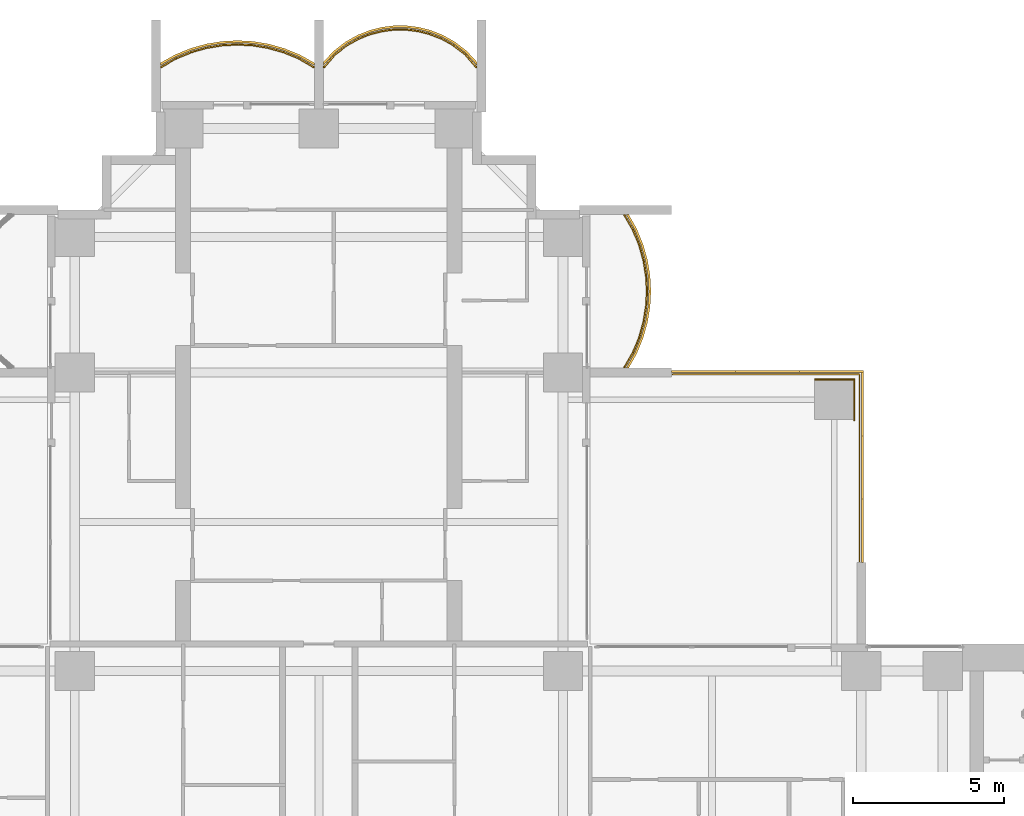
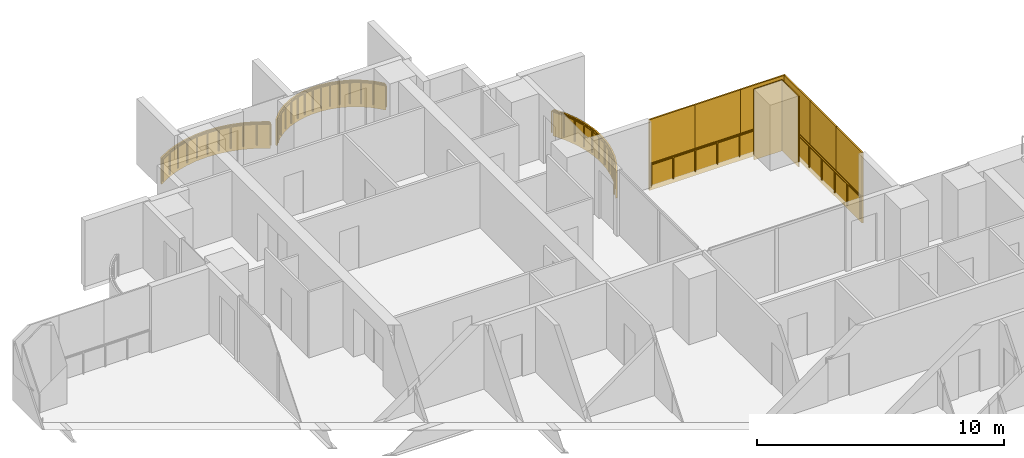
# One storey, part 21 of 21: 12 coverings, 4 railings.
"""IFC4 building model written with IfcOpenShell, lengths in metres."""

from ifc_helpers import new_model, si_unit, direction, frame, origin, origin_2d, place, context, subcontext, project, spatial, polyline, rectangle, outline, extrude, material, layer, layer_set, type_object, element, save


model = new_model("IFC4")

# Units and contexts
model_context = context("Model", 3, precision=1e-05, world=origin(), true_north=direction((0.0, 1.0)))
body_context = subcontext(model_context, "Body", "Model", "MODEL_VIEW")
ifc_project = project(units=[si_unit("LENGTHUNIT", "METRE"), si_unit("AREAUNIT", "SQUARE_METRE"), si_unit("VOLUMEUNIT", "CUBIC_METRE"), si_unit("PLANEANGLEUNIT", "RADIAN"), si_unit("MASSUNIT", "GRAM", prefix="KILO")], contexts=[model_context])

# Site, building, storey
site_placement = place(None, origin())
site = spatial("IfcSite", under=ifc_project, at=site_placement, CompositionType="ELEMENT")
building_placement = place(site_placement, origin())
building = spatial("IfcBuilding", under=site, at=building_placement, Name="Perihelion Cross Residences", CompositionType="ELEMENT")
storey_placement = place(building_placement, frame((0.0, 0.0, 64.5)))
storey = spatial("IfcBuildingStorey", under=building, at=storey_placement, Name="L13", CompositionType="ELEMENT", Elevation=64.5)

# Coverings
ifc_material_1 = material(Name="Bronze anodised aluminium", Category="aluminium")
ifc_layer_1 = layer(ifc_material_1, 0.070068359375)
ifc_layer_set_1 = layer_set([ifc_layer_1], Name="Balcony fascia 1300")
covering_type_1 = type_object("IfcCoveringType", Name="Balcony fascia 1300", PredefinedType="CLADDING", material=ifc_layer_set_1)
covering_1_placement = place(storey_placement, frame((0.0, 0.0, -0.199951171875)))
element("IfcCovering", 1, at=covering_1_placement, inside=storey, type_object=covering_type_1, Name="Fascia BF1 L13 north side east bay 2", PredefinedType="CLADDING", context=body_context, shape_type="SweptSolid", body=[
    extrude(outline(polyline([(10.54833984375, 18.629638671875), (10.7607421875, 19.147216796875), (10.906494140625, 19.664794921875), (10.991943359375, 20.182373046875), (11.02001953125, 20.699951171875), (10.991943359375, 21.217529296875), (10.906494140625, 21.735107421875), (10.7607421875, 22.2529296875), (10.54833984375, 22.7705078125), (10.2802734375, 23.25), (10.199951171875, 23.25), (10.4853515625, 22.739990234375), (10.694580078125, 22.22998046875), (10.838134765625, 21.719970703125), (10.92236328125, 21.2099609375), (10.949951171875, 20.699951171875), (10.92236328125, 20.18994140625), (10.838134765625, 19.679931640625), (10.694580078125, 19.169921875), (10.4853515625, 18.659912109375), (10.199951171875, 18.14990234375), (10.2802734375, 18.14990234375), (10.54833984375, 18.629638671875)])), origin(), (0.0, 0.0, 1.0), 1.300048828125),
])
covering_2_placement = place(storey_placement, frame((0.0, 0.0, -0.199951171875)))
element("IfcCovering", 2, at=covering_2_placement, inside=storey, type_object=covering_type_1, Name="Fascia BF1 L13 north tip north bay 1", PredefinedType="CLADDING", context=body_context, shape_type="SweptSolid", body=[
    extrude(outline(polyline([(4.90478515625, 28.674072265625), (4.50390625, 28.982666015625), (4.10302734375, 29.20654296875), (3.7021484375, 29.364013671875), (3.30126953125, 29.464599609375), (2.900390625, 29.513916015625), (2.49951171875, 29.513916015625), (2.0986328125, 29.464599609375), (1.69775390625, 29.364013671875), (1.296875, 29.20654296875), (0.89599609375, 28.982666015625), (0.4951171875, 28.674072265625), (0.14990234375, 28.302734375), (0.14990234375, 28.199951171875), (0.542236328125, 28.622314453125), (0.9345703125, 28.924072265625), (1.326904296875, 29.143310546875), (1.71923828125, 29.29736328125), (2.111572265625, 29.39599609375), (2.50390625, 29.444091796875), (2.896240234375, 29.444091796875), (3.28857421875, 29.39599609375), (3.6806640625, 29.29736328125), (4.072998046875, 29.143310546875), (4.46533203125, 28.924072265625), (4.857666015625, 28.622314453125), (5.25, 28.199951171875), (5.25, 28.302734375), (4.90478515625, 28.674072265625)])), origin(), (0.0, 0.0, 1.0), 1.300048828125),
])
covering_3_placement = place(storey_placement, frame((0.0, 0.0, -0.199951171875)))
element("IfcCovering", 3, at=covering_3_placement, inside=storey, type_object=covering_type_1, Name="Fascia BF1 L13 north tip north bay 2", PredefinedType="CLADDING", context=body_context, shape_type="SweptSolid", body=[
    extrude(outline(polyline([(-0.629638671875, 28.54833984375), (-1.147216796875, 28.7607421875), (-1.664794921875, 28.906494140625), (-2.182373046875, 28.991943359375), (-2.699951171875, 29.02001953125), (-3.217529296875, 28.991943359375), (-3.735107421875, 28.906494140625), (-4.2529296875, 28.7607421875), (-4.7705078125, 28.54833984375), (-5.25, 28.2802734375), (-5.25, 28.199951171875), (-4.739990234375, 28.4853515625), (-4.22998046875, 28.694580078125), (-3.719970703125, 28.838134765625), (-3.2099609375, 28.92236328125), (-2.699951171875, 28.949951171875), (-2.18994140625, 28.92236328125), (-1.679931640625, 28.838134765625), (-1.169921875, 28.694580078125), (-0.659912109375, 28.4853515625), (-0.14990234375, 28.199951171875), (-0.14990234375, 28.2802734375), (-0.629638671875, 28.54833984375)])), origin(), (0.0, 0.0, 1.0), 1.300048828125),
])

# Railings
ifc_material_2 = material(Name="Bronze anodised aluminium", Category="aluminium")
railing_type = type_object("IfcRailingType", Name="Balcony guard 1100", PredefinedType="GUARDRAIL", material=ifc_material_2)
railing_1_placement = place(storey_placement, frame((10.139892578125, 18.175048828125, 0.0)))
element("IfcRailing", 4, at=railing_1_placement, inside=storey, type_object=railing_type, Name="Guard GU1 L13 north side east bay 2 balcony", PredefinedType="GUARDRAIL", context=body_context, shape_type="SweptSolid", body=[
    extrude(rectangle(XDim=0.048095703125, YDim=0.048095703125, at=origin_2d()), frame((0.0, 0.0, 1.076171875), z_axis=(0.507266632806, 0.861789164031, 0.0), x_axis=(-0.861789164031, 0.507266632806, 0.0)), (0.0, 0.0, 1.0), 0.562744140625),
    extrude(rectangle(XDim=0.048095703125, YDim=0.048095703125, at=origin_2d()), frame((0.285400390625, 0.48486328125, 1.076171875), z_axis=(0.379546636342, 0.925172605972, 0.0), x_axis=(-0.925172605972, 0.379546636342, 0.0)), (0.0, 0.0, 1.0), 0.55126953125),
    extrude(rectangle(XDim=0.048095703125, YDim=0.048095703125, at=origin_2d()), frame((0.49462890625, 0.994873046875, 1.076171875), z_axis=(0.271372618732, 0.962474364231, 0.0), x_axis=(-0.962474364231, 0.271372618732, 0.0)), (0.0, 0.0, 1.0), 0.52978515625),
    extrude(rectangle(XDim=0.048095703125, YDim=0.048095703125, at=origin_2d()), frame((0.638427734375, 1.5048828125, 1.076171875), z_axis=(0.162483799314, 0.986711211531, 0.0), x_axis=(-0.986711211531, 0.162483799314, 0.0)), (0.0, 0.0, 1.0), 0.516845703125),
    extrude(rectangle(XDim=0.048095703125, YDim=0.048095703125, at=origin_2d()), frame((0.722412109375, 2.014892578125, 1.076171875), z_axis=(0.05401390175, 0.998540183677, 0.0), x_axis=(-0.998540183677, 0.05401390175, 0.0)), (0.0, 0.0, 1.0), 0.5107421875),
    extrude(rectangle(XDim=0.048095703125, YDim=0.048095703125, at=origin_2d()), frame((0.75, 2.52490234375, 1.076171875), z_axis=(-0.05401390175, 0.998540183677, 0.0), x_axis=(-0.998540183677, -0.05401390175, 0.0)), (0.0, 0.0, 1.0), 0.5107421875),
    extrude(rectangle(XDim=0.048095703125, YDim=0.048095703125, at=origin_2d()), frame((0.722412109375, 3.034912109375, 1.076171875), z_axis=(-0.162483799314, 0.986711211531, 0.0), x_axis=(-0.986711211531, -0.162483799314, 0.0)), (0.0, 0.0, 1.0), 0.516845703125),
    extrude(rectangle(XDim=0.048095703125, YDim=0.048095703125, at=origin_2d()), frame((0.638427734375, 3.544921875, 1.076171875), z_axis=(-0.271372618732, 0.962474364231, 0.0), x_axis=(-0.962474364231, -0.271372618732, 0.0)), (0.0, 0.0, 1.0), 0.52978515625),
    extrude(rectangle(XDim=0.048095703125, YDim=0.048095703125, at=origin_2d()), frame((0.49462890625, 4.054931640625, 1.076171875), z_axis=(-0.379546636342, 0.925172605972, 0.0), x_axis=(-0.925172605972, -0.379546636342, 0.0)), (0.0, 0.0, 1.0), 0.55126953125),
    extrude(rectangle(XDim=0.048095703125, YDim=0.048095703125, at=origin_2d()), frame((0.285400390625, 4.56494140625, 1.076171875), z_axis=(-0.507076995033, 0.861900760591, 0.0), x_axis=(-0.861900760591, -0.507076995033, 0.0)), (0.0, 0.0, 1.0), 0.562744140625),
    extrude(rectangle(XDim=0.0419921875, YDim=0.0419921875, at=origin_2d()), origin(), (0.0, 0.0, 1.0), 1.052001953125),
    extrude(rectangle(XDim=0.0419921875, YDim=0.0419921875, at=origin_2d()), frame((0.285400390625, 0.48486328125, 0.0)), (0.0, 0.0, 1.0), 1.052001953125),
    extrude(rectangle(XDim=0.0419921875, YDim=0.0419921875, at=origin_2d()), frame((0.49462890625, 0.994873046875, 0.0)), (0.0, 0.0, 1.0), 1.052001953125),
    extrude(rectangle(XDim=0.0419921875, YDim=0.0419921875, at=origin_2d()), frame((0.638427734375, 1.5048828125, 0.0)), (0.0, 0.0, 1.0), 1.052001953125),
    extrude(rectangle(XDim=0.0419921875, YDim=0.0419921875, at=origin_2d()), frame((0.722412109375, 2.014892578125, 0.0)), (0.0, 0.0, 1.0), 1.052001953125),
    extrude(rectangle(XDim=0.0419921875, YDim=0.0419921875, at=origin_2d()), frame((0.75, 2.52490234375, 0.0)), (0.0, 0.0, 1.0), 1.052001953125),
    extrude(rectangle(XDim=0.0419921875, YDim=0.0419921875, at=origin_2d()), frame((0.722412109375, 3.034912109375, 0.0)), (0.0, 0.0, 1.0), 1.052001953125),
    extrude(rectangle(XDim=0.0419921875, YDim=0.0419921875, at=origin_2d()), frame((0.638427734375, 3.544921875, 0.0)), (0.0, 0.0, 1.0), 1.052001953125),
    extrude(rectangle(XDim=0.0419921875, YDim=0.0419921875, at=origin_2d()), frame((0.49462890625, 4.054931640625, 0.0)), (0.0, 0.0, 1.0), 1.052001953125),
    extrude(rectangle(XDim=0.0419921875, YDim=0.0419921875, at=origin_2d()), frame((0.285400390625, 4.56494140625, 0.0)), (0.0, 0.0, 1.0), 1.052001953125),
    extrude(rectangle(XDim=0.0419921875, YDim=0.0419921875, at=origin_2d()), frame((0.0, 5.050048828125, 0.0)), (0.0, 0.0, 1.0), 1.052001953125),
])
railing_2_placement = place(storey_placement, frame((5.22509765625, 28.139892578125, 0.0)))
element("IfcRailing", 5, at=railing_2_placement, inside=storey, type_object=railing_type, Name="Guard GU1 L13 north tip north bay 1 balcony", PredefinedType="GUARDRAIL", context=body_context, shape_type="SweptSolid", body=[
    extrude(rectangle(XDim=0.048095703125, YDim=0.048095703125, at=origin_2d()), frame((0.0, 0.0, 1.076171875), z_axis=(-0.656340655493, 0.754464673757, 0.0), x_axis=(-0.754464673757, -0.656340655493, 0.0)), (0.0, 0.0, 1.0), 0.559814453125),
    extrude(rectangle(XDim=0.048095703125, YDim=0.048095703125, at=origin_2d()), frame((-0.367431640625, 0.42236328125, 1.076171875), z_axis=(-0.792660660899, 0.60966308455, 0.0), x_axis=(-0.60966308455, -0.792660660899, 0.0)), (0.0, 0.0, 1.0), 0.494873046875),
    extrude(rectangle(XDim=0.048095703125, YDim=0.048095703125, at=origin_2d()), frame((-0.759765625, 0.72412109375, 1.076171875), z_axis=(-0.872950285698, 0.487809182674, 0.0), x_axis=(-0.487809182674, -0.872950285698, 0.0)), (0.0, 0.0, 1.0), 0.449462890625),
    extrude(rectangle(XDim=0.048095703125, YDim=0.048095703125, at=origin_2d()), frame((-1.152099609375, 0.943359375, 1.076171875), z_axis=(-0.930814842219, 0.365491079925, 0.0), x_axis=(-0.365491079925, -0.930814842219, 0.0)), (0.0, 0.0, 1.0), 0.42138671875),
    extrude(rectangle(XDim=0.048095703125, YDim=0.048095703125, at=origin_2d()), frame((-1.54443359375, 1.097412109375, 1.076171875), z_axis=(-0.969786252666, 0.243956193074, 0.0), x_axis=(-0.243956193074, -0.969786252666, 0.0)), (0.0, 0.0, 1.0), 0.404296875),
    extrude(rectangle(XDim=0.048095703125, YDim=0.048095703125, at=origin_2d()), frame((-1.9365234375, 1.196044921875, 1.076171875), z_axis=(-0.992569651699, 0.121677797999, 0.0), x_axis=(-0.121677797999, -0.992569651699, 0.0)), (0.0, 0.0, 1.0), 0.395263671875),
    extrude(rectangle(XDim=0.048095703125, YDim=0.048095703125, at=origin_2d()), frame((-2.328857421875, 1.244140625, 1.076171875), z_axis=(-1.0, 0.0, 0.0), x_axis=(0.0, -1.0, 0.0)), (0.0, 0.0, 1.0), 0.392333984375),
    extrude(rectangle(XDim=0.048095703125, YDim=0.048095703125, at=origin_2d()), frame((-2.72119140625, 1.244140625, 1.076171875), z_axis=(-0.992569651699, -0.121677797999, 0.0), x_axis=(0.121677797999, -0.992569651699, 0.0)), (0.0, 0.0, 1.0), 0.395263671875),
    extrude(rectangle(XDim=0.048095703125, YDim=0.048095703125, at=origin_2d()), frame((-3.113525390625, 1.196044921875, 1.076171875), z_axis=(-0.969822159145, -0.243813411509, 0.0), x_axis=(0.243813411509, -0.969822159145, 0.0)), (0.0, 0.0, 1.0), 0.404541015625),
    extrude(rectangle(XDim=0.048095703125, YDim=0.048095703125, at=origin_2d()), frame((-3.505859375, 1.097412109375, 1.076171875), z_axis=(-0.930814842219, -0.365491079925, 0.0), x_axis=(0.365491079925, -0.930814842219, 0.0)), (0.0, 0.0, 1.0), 0.42138671875),
    extrude(rectangle(XDim=0.048095703125, YDim=0.048095703125, at=origin_2d()), frame((-3.898193359375, 0.943359375, 1.076171875), z_axis=(-0.872950285698, -0.487809182674, 0.0), x_axis=(0.487809182674, -0.872950285698, 0.0)), (0.0, 0.0, 1.0), 0.449462890625),
    extrude(rectangle(XDim=0.048095703125, YDim=0.048095703125, at=origin_2d()), frame((-4.29052734375, 0.72412109375, 1.076171875), z_axis=(-0.792660660899, -0.60966308455, 0.0), x_axis=(0.60966308455, -0.792660660899, 0.0)), (0.0, 0.0, 1.0), 0.494873046875),
    extrude(rectangle(XDim=0.048095703125, YDim=0.048095703125, at=origin_2d()), frame((-4.682861328125, 0.42236328125, 1.076171875), z_axis=(-0.656092309534, -0.754680648599, 0.0), x_axis=(0.754680648599, -0.656092309534, 0.0)), (0.0, 0.0, 1.0), 0.5595703125),
    extrude(rectangle(XDim=0.0419921875, YDim=0.0419921875, at=origin_2d()), origin(), (0.0, 0.0, 1.0), 1.052001953125),
    extrude(rectangle(XDim=0.0419921875, YDim=0.0419921875, at=origin_2d()), frame((-0.367431640625, 0.42236328125, 0.0)), (0.0, 0.0, 1.0), 1.052001953125),
    extrude(rectangle(XDim=0.0419921875, YDim=0.0419921875, at=origin_2d()), frame((-0.759765625, 0.72412109375, 0.0)), (0.0, 0.0, 1.0), 1.052001953125),
    extrude(rectangle(XDim=0.0419921875, YDim=0.0419921875, at=origin_2d()), frame((-1.152099609375, 0.943359375, 0.0)), (0.0, 0.0, 1.0), 1.052001953125),
    extrude(rectangle(XDim=0.0419921875, YDim=0.0419921875, at=origin_2d()), frame((-1.54443359375, 1.097412109375, 0.0)), (0.0, 0.0, 1.0), 1.052001953125),
    extrude(rectangle(XDim=0.0419921875, YDim=0.0419921875, at=origin_2d()), frame((-1.9365234375, 1.196044921875, 0.0)), (0.0, 0.0, 1.0), 1.052001953125),
    extrude(rectangle(XDim=0.0419921875, YDim=0.0419921875, at=origin_2d()), frame((-2.328857421875, 1.244140625, 0.0)), (0.0, 0.0, 1.0), 1.052001953125),
    extrude(rectangle(XDim=0.0419921875, YDim=0.0419921875, at=origin_2d()), frame((-2.72119140625, 1.244140625, 0.0)), (0.0, 0.0, 1.0), 1.052001953125),
    extrude(rectangle(XDim=0.0419921875, YDim=0.0419921875, at=origin_2d()), frame((-3.113525390625, 1.196044921875, 0.0)), (0.0, 0.0, 1.0), 1.052001953125),
    extrude(rectangle(XDim=0.0419921875, YDim=0.0419921875, at=origin_2d()), frame((-3.505859375, 1.097412109375, 0.0)), (0.0, 0.0, 1.0), 1.052001953125),
    extrude(rectangle(XDim=0.0419921875, YDim=0.0419921875, at=origin_2d()), frame((-3.898193359375, 0.943359375, 0.0)), (0.0, 0.0, 1.0), 1.052001953125),
    extrude(rectangle(XDim=0.0419921875, YDim=0.0419921875, at=origin_2d()), frame((-4.29052734375, 0.72412109375, 0.0)), (0.0, 0.0, 1.0), 1.052001953125),
    extrude(rectangle(XDim=0.0419921875, YDim=0.0419921875, at=origin_2d()), frame((-4.682861328125, 0.42236328125, 0.0)), (0.0, 0.0, 1.0), 1.052001953125),
    extrude(rectangle(XDim=0.0419921875, YDim=0.0419921875, at=origin_2d()), frame((-5.050048828125, 0.0, 0.0)), (0.0, 0.0, 1.0), 1.052001953125),
])
railing_3_placement = place(storey_placement, frame((-0.175048828125, 28.139892578125, 0.0)))
element("IfcRailing", 6, at=railing_3_placement, inside=storey, type_object=railing_type, Name="Guard GU1 L13 north tip north bay 2 balcony", PredefinedType="GUARDRAIL", context=body_context, shape_type="SweptSolid", body=[
    extrude(rectangle(XDim=0.048095703125, YDim=0.048095703125, at=origin_2d()), frame((0.0, 0.0, 1.076171875), z_axis=(-0.861789164031, 0.507266632806, 0.0), x_axis=(-0.507266632806, -0.861789164031, 0.0)), (0.0, 0.0, 1.0), 0.562744140625),
    extrude(rectangle(XDim=0.048095703125, YDim=0.048095703125, at=origin_2d()), frame((-0.48486328125, 0.285400390625, 1.076171875), z_axis=(-0.925172605972, 0.379546636342, 0.0), x_axis=(-0.379546636342, -0.925172605972, 0.0)), (0.0, 0.0, 1.0), 0.55126953125),
    extrude(rectangle(XDim=0.048095703125, YDim=0.048095703125, at=origin_2d()), frame((-0.994873046875, 0.49462890625, 1.076171875), z_axis=(-0.962474364231, 0.271372618732, 0.0), x_axis=(-0.271372618732, -0.962474364231, 0.0)), (0.0, 0.0, 1.0), 0.52978515625),
    extrude(rectangle(XDim=0.048095703125, YDim=0.048095703125, at=origin_2d()), frame((-1.5048828125, 0.638427734375, 1.076171875), z_axis=(-0.986711211531, 0.162483799314, 0.0), x_axis=(-0.162483799314, -0.986711211531, 0.0)), (0.0, 0.0, 1.0), 0.516845703125),
    extrude(rectangle(XDim=0.048095703125, YDim=0.048095703125, at=origin_2d()), frame((-2.014892578125, 0.722412109375, 1.076171875), z_axis=(-0.998540183677, 0.05401390175, 0.0), x_axis=(-0.05401390175, -0.998540183677, 0.0)), (0.0, 0.0, 1.0), 0.5107421875),
    extrude(rectangle(XDim=0.048095703125, YDim=0.048095703125, at=origin_2d()), frame((-2.52490234375, 0.75, 1.076171875), z_axis=(-0.998540183677, -0.05401390175, 0.0), x_axis=(0.05401390175, -0.998540183677, 0.0)), (0.0, 0.0, 1.0), 0.5107421875),
    extrude(rectangle(XDim=0.048095703125, YDim=0.048095703125, at=origin_2d()), frame((-3.034912109375, 0.722412109375, 1.076171875), z_axis=(-0.986711211531, -0.162483799314, 0.0), x_axis=(0.162483799314, -0.986711211531, 0.0)), (0.0, 0.0, 1.0), 0.516845703125),
    extrude(rectangle(XDim=0.048095703125, YDim=0.048095703125, at=origin_2d()), frame((-3.544921875, 0.638427734375, 1.076171875), z_axis=(-0.962474364231, -0.271372618732, 0.0), x_axis=(0.271372618732, -0.962474364231, 0.0)), (0.0, 0.0, 1.0), 0.52978515625),
    extrude(rectangle(XDim=0.048095703125, YDim=0.048095703125, at=origin_2d()), frame((-4.054931640625, 0.49462890625, 1.076171875), z_axis=(-0.925172605972, -0.379546636342, 0.0), x_axis=(0.379546636342, -0.925172605972, 0.0)), (0.0, 0.0, 1.0), 0.55126953125),
    extrude(rectangle(XDim=0.048095703125, YDim=0.048095703125, at=origin_2d()), frame((-4.56494140625, 0.285400390625, 1.076171875), z_axis=(-0.861900760591, -0.507076995033, 0.0), x_axis=(0.507076995033, -0.861900760591, 0.0)), (0.0, 0.0, 1.0), 0.562744140625),
    extrude(rectangle(XDim=0.0419921875, YDim=0.0419921875, at=origin_2d()), origin(), (0.0, 0.0, 1.0), 1.052001953125),
    extrude(rectangle(XDim=0.0419921875, YDim=0.0419921875, at=origin_2d()), frame((-0.48486328125, 0.285400390625, 0.0)), (0.0, 0.0, 1.0), 1.052001953125),
    extrude(rectangle(XDim=0.0419921875, YDim=0.0419921875, at=origin_2d()), frame((-0.994873046875, 0.49462890625, 0.0)), (0.0, 0.0, 1.0), 1.052001953125),
    extrude(rectangle(XDim=0.0419921875, YDim=0.0419921875, at=origin_2d()), frame((-1.5048828125, 0.638427734375, 0.0)), (0.0, 0.0, 1.0), 1.052001953125),
    extrude(rectangle(XDim=0.0419921875, YDim=0.0419921875, at=origin_2d()), frame((-2.014892578125, 0.722412109375, 0.0)), (0.0, 0.0, 1.0), 1.052001953125),
    extrude(rectangle(XDim=0.0419921875, YDim=0.0419921875, at=origin_2d()), frame((-2.52490234375, 0.75, 0.0)), (0.0, 0.0, 1.0), 1.052001953125),
    extrude(rectangle(XDim=0.0419921875, YDim=0.0419921875, at=origin_2d()), frame((-3.034912109375, 0.722412109375, 0.0)), (0.0, 0.0, 1.0), 1.052001953125),
    extrude(rectangle(XDim=0.0419921875, YDim=0.0419921875, at=origin_2d()), frame((-3.544921875, 0.638427734375, 0.0)), (0.0, 0.0, 1.0), 1.052001953125),
    extrude(rectangle(XDim=0.0419921875, YDim=0.0419921875, at=origin_2d()), frame((-4.054931640625, 0.49462890625, 0.0)), (0.0, 0.0, 1.0), 1.052001953125),
    extrude(rectangle(XDim=0.0419921875, YDim=0.0419921875, at=origin_2d()), frame((-4.56494140625, 0.285400390625, 0.0)), (0.0, 0.0, 1.0), 1.052001953125),
    extrude(rectangle(XDim=0.0419921875, YDim=0.0419921875, at=origin_2d()), frame((-5.050048828125, 0.0, 0.0)), (0.0, 0.0, 1.0), 1.052001953125),
])
railing_4_placement = place(storey_placement, frame((11.739990234375, 17.93994140625, 0.0)))
element("IfcRailing", 7, at=railing_4_placement, inside=storey, type_object=railing_type, Name="Guard GU1 L13 pocket north-east 1", PredefinedType="GUARDRAIL", context=body_context, shape_type="SweptSolid", body=[
    extrude(rectangle(XDim=0.048095703125, YDim=0.048095703125, at=origin_2d()), frame((0.0, 0.0, 1.076171875), z_axis=(1.0, 0.0, 0.0), x_axis=(0.0, 1.0, 0.0)), (0.0, 0.0, 1.0), 6.199951171875),
    extrude(rectangle(XDim=0.048095703125, YDim=0.048095703125, at=origin_2d()), frame((6.199951171875, 0.0, 1.076171875), z_axis=(0.0, -1.0, 0.0), x_axis=(1.0, 0.0, 0.0)), (0.0, 0.0, 1.0), 6.199951171875),
    extrude(rectangle(XDim=0.0419921875, YDim=0.0419921875, at=origin_2d()), origin(), (0.0, 0.0, 1.0), 1.052001953125),
    extrude(rectangle(XDim=0.0419921875, YDim=0.0419921875, at=origin_2d()), frame((1.033203125, 0.0, 0.0)), (0.0, 0.0, 1.0), 1.052001953125),
    extrude(rectangle(XDim=0.0419921875, YDim=0.0419921875, at=origin_2d()), frame((2.066650390625, 0.0, 0.0)), (0.0, 0.0, 1.0), 1.052001953125),
    extrude(rectangle(XDim=0.0419921875, YDim=0.0419921875, at=origin_2d()), frame((3.10009765625, 0.0, 0.0)), (0.0, 0.0, 1.0), 1.052001953125),
    extrude(rectangle(XDim=0.0419921875, YDim=0.0419921875, at=origin_2d()), frame((4.13330078125, 0.0, 0.0)), (0.0, 0.0, 1.0), 1.052001953125),
    extrude(rectangle(XDim=0.0419921875, YDim=0.0419921875, at=origin_2d()), frame((5.16650390625, 0.0, 0.0)), (0.0, 0.0, 1.0), 1.052001953125),
    extrude(rectangle(XDim=0.0419921875, YDim=0.0419921875, at=origin_2d()), frame((6.199951171875, 0.0, 0.0)), (0.0, 0.0, 1.0), 1.052001953125),
    extrude(rectangle(XDim=0.0419921875, YDim=0.0419921875, at=origin_2d()), frame((6.199951171875, -1.033203125, 0.0)), (0.0, 0.0, 1.0), 1.052001953125),
    extrude(rectangle(XDim=0.0419921875, YDim=0.0419921875, at=origin_2d()), frame((6.199951171875, -2.066650390625, 0.0)), (0.0, 0.0, 1.0), 1.052001953125),
    extrude(rectangle(XDim=0.0419921875, YDim=0.0419921875, at=origin_2d()), frame((6.199951171875, -3.10009765625, 0.0)), (0.0, 0.0, 1.0), 1.052001953125),
    extrude(rectangle(XDim=0.0419921875, YDim=0.0419921875, at=origin_2d()), frame((6.199951171875, -4.13330078125, 0.0)), (0.0, 0.0, 1.0), 1.052001953125),
    extrude(rectangle(XDim=0.0419921875, YDim=0.0419921875, at=origin_2d()), frame((6.199951171875, -5.16650390625, 0.0)), (0.0, 0.0, 1.0), 1.052001953125),
    extrude(rectangle(XDim=0.0419921875, YDim=0.0419921875, at=origin_2d()), frame((6.199951171875, -6.199951171875, 0.0)), (0.0, 0.0, 1.0), 1.052001953125),
])

# Coverings
ifc_material_3 = material(Name="Bronze anodised aluminium", Category="aluminium")
ifc_layer_2 = layer(ifc_material_3, 0.0400390625)
ifc_layer_set_2 = layer_set([ifc_layer_2], Name="Bronze column casing 40")
covering_type_2 = type_object("IfcCoveringType", Name="Bronze column casing 40", PredefinedType="CLADDING", material=ifc_layer_set_2)
covering_4_placement = place(storey_placement, frame((17.77001953125, 17.10009765625, -0.25), z_axis=(0.0, 0.0, 1.0), x_axis=(1.0, 0.0, 0.0)))
element("IfcCovering", 8, at=covering_4_placement, inside=storey, type_object=covering_type_2, Name="Cladding CC1 L13 casing east-west no. 4", PredefinedType="CLADDING", context=body_context, shape_type="SweptSolid", body=[
    extrude(rectangle(XDim=0.0400390625, YDim=1.3798828125, at=origin_2d()), origin(), (0.0, 0.0, 1.0), 3.5),
])
covering_5_placement = place(storey_placement, frame((17.10009765625, 17.77001953125, -0.25), z_axis=(0.0, 0.0, 1.0), x_axis=(1.0, 0.0, 0.0)))
element("IfcCovering", 9, at=covering_5_placement, inside=storey, type_object=covering_type_2, Name="Cladding CC1 L13 casing north-south no. 4", PredefinedType="CLADDING", context=body_context, shape_type="SweptSolid", body=[
    extrude(rectangle(XDim=1.300048828125, YDim=0.0400390625, at=origin_2d()), origin(), (0.0, 0.0, 1.0), 3.5),
])
ifc_material_4 = material(Name="Bronze anodised aluminium", Category="aluminium")
ifc_layer_3 = layer(ifc_material_4, 0.070068359375)
ifc_layer_set_3 = layer_set([ifc_layer_3], Name="Pocket fascia 1350")
covering_type_3 = type_object("IfcCoveringType", Name="Pocket fascia 1350", PredefinedType="CLADDING", material=ifc_layer_set_3)
covering_6_placement = place(storey_placement, frame((0.0, 0.0, -0.25)))
element("IfcCovering", 10, at=covering_6_placement, inside=storey, type_object=covering_type_3, Name="Fascia BF2 L13 pocket north-east 3", PredefinedType="CLADDING", context=body_context, shape_type="SweptSolid", body=[
    extrude(outline(polyline([(18.070068359375, 18.070068359375), (11.699951171875, 18.070068359375), (11.699951171875, 18.0), (18.0, 18.0), (18.0, 11.699951171875), (18.070068359375, 11.699951171875), (18.070068359375, 18.070068359375)])), origin(), (0.0, 0.0, 1.0), 1.35009765625),
])
ifc_material_5 = material(Name="Bronze perforated aluminium", Category="aluminium")
ifc_layer_4 = layer(ifc_material_5, 0.070068359375)
ifc_layer_set_4 = layer_set([ifc_layer_4], Name="Pocket solar screen, bronze perforated")
covering_type_4 = type_object("IfcCoveringType", Name="Pocket solar screen, bronze perforated", PredefinedType="CLADDING", material=ifc_layer_set_4)
covering_7_placement = place(storey_placement, frame((0.0, 0.0, 1.10009765625)))
element("IfcCovering", 11, at=covering_7_placement, inside=storey, type_object=covering_type_4, Name="Solar screen PS1 L13 pocket north-east no. 1", PredefinedType="CLADDING", context=body_context, shape_type="SweptSolid", body=[
    extrude(outline(polyline([(18.070068359375, 11.699951171875), (18.070068359375, 13.800048828125), (18.0, 13.800048828125), (18.0, 11.699951171875), (18.070068359375, 11.699951171875)])), origin(), (0.0, 0.0, 1.0), 2.14990234375),
])
covering_8_placement = place(storey_placement, frame((0.0, 0.0, 1.10009765625)))
element("IfcCovering", 12, at=covering_8_placement, inside=storey, type_object=covering_type_4, Name="Solar screen PS1 L13 pocket north-east no. 2", PredefinedType="CLADDING", context=body_context, shape_type="SweptSolid", body=[
    extrude(outline(polyline([(18.070068359375, 13.800048828125), (18.070068359375, 15.89990234375), (18.0, 15.89990234375), (18.0, 13.800048828125), (18.070068359375, 13.800048828125)])), origin(), (0.0, 0.0, 1.0), 2.14990234375),
])
covering_9_placement = place(storey_placement, frame((0.0, 0.0, 1.10009765625)))
element("IfcCovering", 13, at=covering_9_placement, inside=storey, type_object=covering_type_4, Name="Solar screen PS1 L13 pocket north-east no. 3", PredefinedType="CLADDING", context=body_context, shape_type="SweptSolid", body=[
    extrude(outline(polyline([(18.070068359375, 15.89990234375), (18.070068359375, 18.0), (18.0, 18.0), (18.0, 15.89990234375), (18.070068359375, 15.89990234375)])), origin(), (0.0, 0.0, 1.0), 2.14990234375),
])
covering_10_placement = place(storey_placement, frame((0.0, 0.0, 1.10009765625)))
element("IfcCovering", 14, at=covering_10_placement, inside=storey, type_object=covering_type_4, Name="Solar screen PS1 L13 pocket north-east no. 4", PredefinedType="CLADDING", context=body_context, shape_type="SweptSolid", body=[
    extrude(outline(polyline([(13.8232421875, 18.0), (13.8232421875, 18.070068359375), (11.699951171875, 18.070068359375), (11.699951171875, 18.0), (13.8232421875, 18.0)])), origin(), (0.0, 0.0, 1.0), 2.14990234375),
])
covering_11_placement = place(storey_placement, frame((0.0, 0.0, 1.10009765625)))
element("IfcCovering", 15, at=covering_11_placement, inside=storey, type_object=covering_type_4, Name="Solar screen PS1 L13 pocket north-east no. 5", PredefinedType="CLADDING", context=body_context, shape_type="SweptSolid", body=[
    extrude(outline(polyline([(15.94677734375, 18.0), (15.94677734375, 18.070068359375), (13.8232421875, 18.070068359375), (13.8232421875, 18.0), (15.94677734375, 18.0)])), origin(), (0.0, 0.0, 1.0), 2.14990234375),
])
covering_12_placement = place(storey_placement, frame((0.0, 0.0, 1.10009765625)))
element("IfcCovering", 16, at=covering_12_placement, inside=storey, type_object=covering_type_4, Name="Solar screen PS1 L13 pocket north-east no. 6", PredefinedType="CLADDING", context=body_context, shape_type="SweptSolid", body=[
    extrude(outline(polyline([(18.070068359375, 18.0), (18.070068359375, 18.070068359375), (15.94677734375, 18.070068359375), (15.94677734375, 18.0), (18.070068359375, 18.0)])), origin(), (0.0, 0.0, 1.0), 2.14990234375),
])

save(model, "model.ifc")
